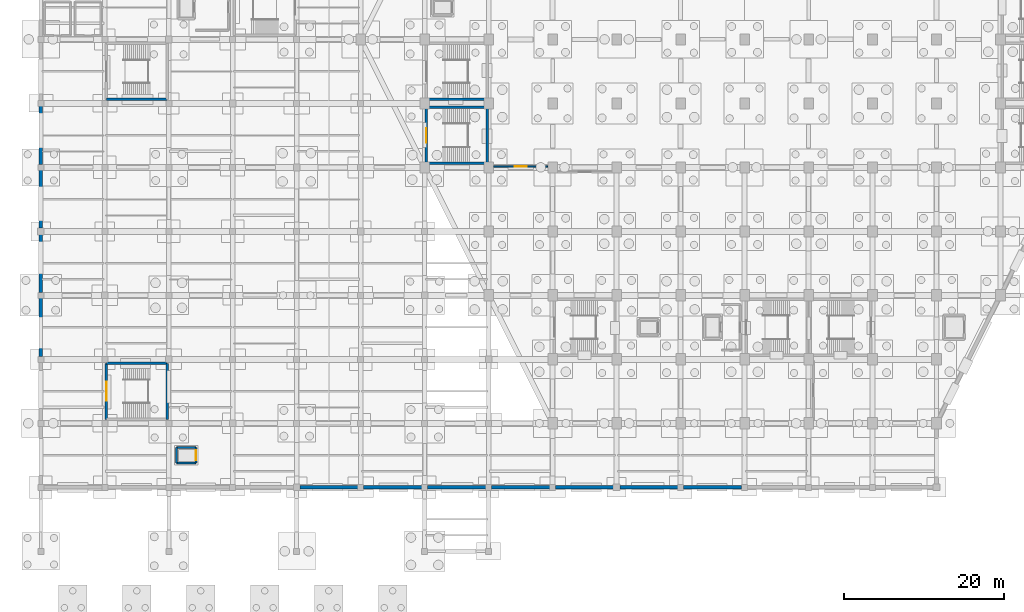
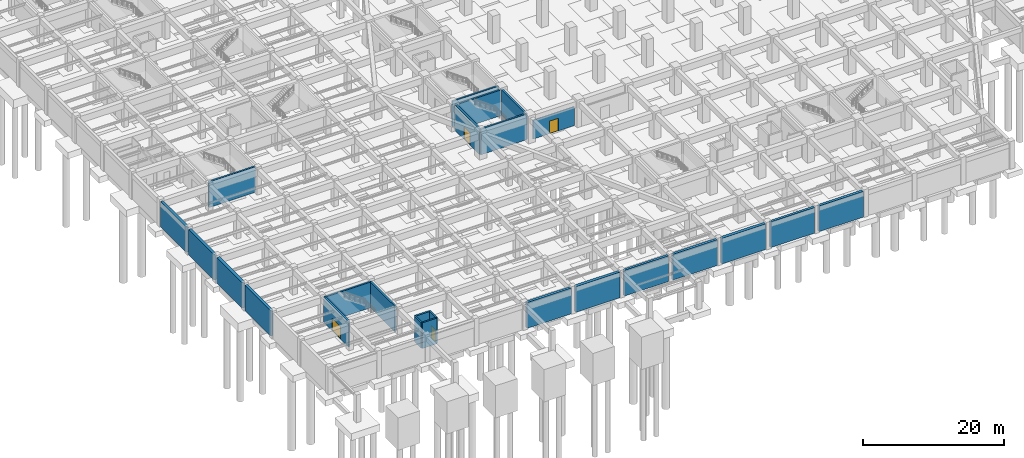
# One storey, part 23 of 36: 25 walls, 4 doors, 4 openings.
"""IFC4 building model written with IfcOpenShell, lengths in metres."""

from ifc_helpers import new_model, si_unit, direction, frame, frame_2d, origin, place, context, subcontext, project, spatial, rectangle, extrude, material, layer, layer_set, type_object, element, fill, save


model = new_model("IFC4")

# Units and contexts
model_context = context("Model", 3, precision=1e-05, world=origin(), true_north=direction((0.0, 1.0)))
body_context = subcontext(model_context, "Body", "Model", "MODEL_VIEW")
ifc_project = project(units=[si_unit("LENGTHUNIT", "METRE"), si_unit("AREAUNIT", "SQUARE_METRE"), si_unit("VOLUMEUNIT", "CUBIC_METRE"), si_unit("PLANEANGLEUNIT", "RADIAN"), si_unit("MASSUNIT", "GRAM", prefix="KILO")], contexts=[model_context])

# Site, building, storey
site_placement = place(None, origin())
site = spatial("IfcSite", under=ifc_project, at=site_placement, CompositionType="ELEMENT")
building_placement = place(site_placement, origin())
building = spatial("IfcBuilding", under=site, at=building_placement, Name="Tazarka Park Arena", CompositionType="ELEMENT")
storey_placement = place(building_placement, frame((0.0, 0.0, -4.800048828125)))
storey = spatial("IfcBuildingStorey", under=building, at=storey_placement, Name="B1", CompositionType="ELEMENT", Elevation=-4.800048828125)

# Walls
ifc_material_1 = material(Name="Concrete C40/50", Category="concrete")
ifc_layer_1 = layer(ifc_material_1, 0.300048828125, Name="Concrete C40/50")
ifc_layer_set_1 = layer_set([ifc_layer_1], Name="Concrete C40/50")
wall_type_1 = type_object("IfcWallType", Name="IWAL-CW-S1", PredefinedType="SHEAR", material=ifc_layer_set_1)
for number, where, z_axis, x_axis, name in (
    (1, (15.800048828125, 56.5, 0.0), (0.0, 0.0, 1.0), (-1.0, 0.0, 0.0), "SCW-B1-ST01-S"),
    (2, (55.800048828125, 56.5, 0.0), (0.0, 0.0, 1.0), (-1.0, 0.0, 0.0), "SCW-B1-ST13-S"),
):
    element("IfcWall", number, at=place(storey_placement, frame(where, z_axis=z_axis, x_axis=x_axis)), inside=storey, type_object=wall_type_1, Name=name, PredefinedType="SHEAR", context=body_context, shape_type="SweptSolid", body=[
        extrude(rectangle(XDim=7.60009765625, YDim=0.300048828125, at=frame_2d((3.800048828125, 0.0))), origin(), (0.0, 0.0, 1.0), 4.4599609375),
    ])

# Wall, opening, door
wall_1_placement = place(storey_placement, frame((8.199951171875, 16.5, 0.0), z_axis=(0.0, 0.0, 1.0), x_axis=(0.0, 1.0, 0.0)))
wall_1 = element("IfcWall", 3, at=wall_1_placement, inside=storey, type_object=wall_type_1, Name="SCW-B1-ST17-W", PredefinedType="SHEAR", context=body_context, shape_type="SweptSolid", body=[
    extrude(rectangle(XDim=7.0, YDim=0.300048828125, at=frame_2d((3.5, 0.0))), origin(), (0.0, 0.0, 1.0), 4.4599609375),
])
opening_1_placement = place(wall_1_placement, frame((2.300048828125, 0.0, 0.0)))
opening_1 = element("IfcOpeningElement", 4, at=opening_1_placement, cuts=wall_1, Name="Opening ID-05", PredefinedType="OPENING", context=body_context, shape_type="SweptSolid", body=[
    extrude(rectangle(XDim=2.39990234375, YDim=2.199951171875, at=frame_2d((1.199951171875, 1.10009765625))), frame((0.0, 0.16015625, 0.0), z_axis=(0.0, -1.0, 0.0), x_axis=(1.0, 0.0, 0.0)), (0.0, 0.0, 1.0), 0.320068359375),
])
ifc_material_2 = material(Name="Fire-rated powder-coated steel and acoustic timber", Category="steel")
door_type_1 = type_object("IfcDoorType", Name="IDR-ID-05", OperationType="NOTDEFINED", PredefinedType="DOOR", material=ifc_material_2)
door_1_placement = place(opening_1_placement, frame((2.39990234375, 0.0, 0.0), z_axis=(0.0, 0.0, 1.0), x_axis=(-1.0, 0.0, 0.0)))
door_1 = element("IfcDoor", 5, at=door_1_placement, inside=storey, type_object=door_type_1, Name="Exit Stair Door ST17-B1", OperationType="DOUBLE_DOOR_SINGLE_SWING", OverallHeight=2.199951171875, OverallWidth=2.39990234375, PredefinedType="DOOR", context=body_context, shape_type="SweptSolid", body=[
    extrude(rectangle(XDim=2.39990234375, YDim=2.199951171875, at=frame_2d((1.199951171875, 1.10009765625))), frame((0.0, 0.02490234375, 0.0), z_axis=(0.0, -1.0, 0.0), x_axis=(1.0, 0.0, 0.0)), (0.0, 0.0, 1.0), 0.050048828125),
])
fill(opening_1, door_1)

# Walls
wall_2_placement = place(storey_placement, frame((8.199951171875, 23.5, 0.0), z_axis=(0.0, 0.0, 1.0), x_axis=(1.0, 0.0, 0.0)))
element("IfcWall", 6, at=wall_2_placement, inside=storey, type_object=wall_type_1, Name="SCW-B1-ST17-N", PredefinedType="SHEAR", context=body_context, shape_type="SweptSolid", body=[
    extrude(rectangle(XDim=7.60009765625, YDim=0.300048828125, at=frame_2d((3.800048828125, 0.0))), origin(), (0.0, 0.0, 1.0), 4.4599609375),
])
wall_3_placement = place(storey_placement, frame((15.800048828125, 23.5, 0.0), z_axis=(0.0, 0.0, 1.0), x_axis=(0.0, -1.0, 0.0)))
element("IfcWall", 7, at=wall_3_placement, inside=storey, type_object=wall_type_1, Name="SCW-B1-ST17-E", PredefinedType="SHEAR", context=body_context, shape_type="SweptSolid", body=[
    extrude(rectangle(XDim=7.0, YDim=0.300048828125, at=frame_2d((3.5, 0.0))), origin(), (0.0, 0.0, 1.0), 4.4599609375),
])
wall_4_placement = place(storey_placement, frame((55.800048828125, 48.5, 0.0), z_axis=(0.0, 0.0, 1.0), x_axis=(-1.0, 0.0, 0.0)))
element("IfcWall", 8, at=wall_4_placement, inside=storey, type_object=wall_type_1, Name="SCW-B1-ST19-S", PredefinedType="SHEAR", context=body_context, shape_type="SweptSolid", body=[
    extrude(rectangle(XDim=7.60009765625, YDim=0.300048828125, at=frame_2d((3.800048828125, 0.0))), origin(), (0.0, 0.0, 1.0), 4.4599609375),
])

# Wall, opening, door
wall_5_placement = place(storey_placement, frame((48.199951171875, 48.5, 0.0), z_axis=(0.0, 0.0, 1.0), x_axis=(0.0, 1.0, 0.0)))
wall_5 = element("IfcWall", 9, at=wall_5_placement, inside=storey, type_object=wall_type_1, Name="SCW-B1-ST19-W", PredefinedType="SHEAR", context=body_context, shape_type="SweptSolid", body=[
    extrude(rectangle(XDim=7.0, YDim=0.300048828125, at=frame_2d((3.5, 0.0))), origin(), (0.0, 0.0, 1.0), 4.4599609375),
])
opening_2_placement = place(wall_5_placement, frame((2.60009765625, 0.0, 0.0)))
opening_2 = element("IfcOpeningElement", 10, at=opening_2_placement, cuts=wall_5, Name="Opening ID-04", PredefinedType="OPENING", context=body_context, shape_type="SweptSolid", body=[
    extrude(rectangle(XDim=1.800048828125, YDim=2.199951171875, at=frame_2d((0.89990234375, 1.10009765625))), frame((0.0, 0.16015625, 0.0), z_axis=(0.0, -1.0, 0.0), x_axis=(1.0, 0.0, 0.0)), (0.0, 0.0, 1.0), 0.320068359375),
])
ifc_material_3 = material(Name="Fire-rated powder-coated steel and acoustic timber", Category="steel")
door_type_2 = type_object("IfcDoorType", Name="IDR-ID-04", OperationType="NOTDEFINED", PredefinedType="DOOR", material=ifc_material_3)
door_2_placement = place(opening_2_placement, frame((1.800048828125, 0.0, 0.0), z_axis=(0.0, 0.0, 1.0), x_axis=(-1.0, 0.0, 0.0)))
door_2 = element("IfcDoor", 11, at=door_2_placement, inside=storey, type_object=door_type_2, Name="Vomitory Stair Door ST19-B1", OperationType="DOUBLE_DOOR_SINGLE_SWING", OverallHeight=2.199951171875, OverallWidth=1.800048828125, PredefinedType="DOOR", context=body_context, shape_type="SweptSolid", body=[
    extrude(rectangle(XDim=1.800048828125, YDim=2.199951171875, at=frame_2d((0.89990234375, 1.10009765625))), frame((0.0, 0.02490234375, 0.0), z_axis=(0.0, -1.0, 0.0), x_axis=(1.0, 0.0, 0.0)), (0.0, 0.0, 1.0), 0.050048828125),
])
fill(opening_2, door_2)

# Walls
wall_6_placement = place(storey_placement, frame((48.199951171875, 55.5, 0.0), z_axis=(0.0, 0.0, 1.0), x_axis=(1.0, 0.0, 0.0)))
element("IfcWall", 12, at=wall_6_placement, inside=storey, type_object=wall_type_1, Name="SCW-B1-ST19-N", PredefinedType="SHEAR", context=body_context, shape_type="SweptSolid", body=[
    extrude(rectangle(XDim=7.60009765625, YDim=0.300048828125, at=frame_2d((3.800048828125, 0.0))), origin(), (0.0, 0.0, 1.0), 4.4599609375),
])
wall_7_placement = place(storey_placement, frame((55.800048828125, 55.5, 0.0), z_axis=(0.0, 0.0, 1.0), x_axis=(0.0, -1.0, 0.0)))
element("IfcWall", 13, at=wall_7_placement, inside=storey, type_object=wall_type_1, Name="SCW-B1-ST19-E", PredefinedType="SHEAR", context=body_context, shape_type="SweptSolid", body=[
    extrude(rectangle(XDim=7.0, YDim=0.300048828125, at=frame_2d((3.5, 0.0))), origin(), (0.0, 0.0, 1.0), 4.4599609375),
])
ifc_material_4 = material(Name="Concrete C40/50", Category="concrete")
ifc_layer_2 = layer(ifc_material_4, 0.260009765625, Name="Concrete C40/50")
ifc_layer_set_2 = layer_set([ifc_layer_2], Name="Concrete C40/50")
wall_type_2 = type_object("IfcWallType", Name="IWAL-CW-S3", PredefinedType="SHEAR", material=ifc_layer_set_2)
wall_8_placement = place(storey_placement, frame((16.97998046875, 11.030029296875, 0.0), z_axis=(0.0, 0.0, 1.0), x_axis=(0.0, 1.0, 0.0)))
element("IfcWall", 14, at=wall_8_placement, inside=storey, type_object=wall_type_2, Name="LSW-B1-LF-05-W", PredefinedType="SHEAR", context=body_context, shape_type="SweptSolid", body=[
    extrude(rectangle(XDim=1.93994140625, YDim=0.260009765625, at=frame_2d((0.969970703125, 0.0))), origin(), (0.0, 0.0, 1.0), 4.4599609375),
])
for number, where, z_axis, x_axis, name in (
    (15, (16.97998046875, 12.969970703125, 0.0), (0.0, 0.0, 1.0), (1.0, 0.0, 0.0), "LSW-B1-LF-05-N"),
    (16, (19.419921875, 11.030029296875, 0.0), (0.0, 0.0, 1.0), (-1.0, 0.0, 0.0), "LSW-B1-LF-05-S"),
):
    element("IfcWall", number, at=place(storey_placement, frame(where, z_axis=z_axis, x_axis=x_axis)), inside=storey, type_object=wall_type_2, Name=name, PredefinedType="SHEAR", context=body_context, shape_type="SweptSolid", body=[
        extrude(rectangle(XDim=2.43994140625, YDim=0.260009765625, at=frame_2d((1.219970703125, 0.0))), origin(), (0.0, 0.0, 1.0), 4.4599609375),
    ])

# Wall, opening, door
wall_9_placement = place(storey_placement, frame((19.419921875, 12.969970703125, 0.0), z_axis=(0.0, 0.0, 1.0), x_axis=(0.0, -1.0, 0.0)))
wall_9 = element("IfcWall", 17, at=wall_9_placement, inside=storey, type_object=wall_type_2, Name="LSW-B1-LF-05-E", PredefinedType="SHEAR", context=body_context, shape_type="SweptSolid", body=[
    extrude(rectangle(XDim=1.93994140625, YDim=0.260009765625, at=frame_2d((0.969970703125, 0.0))), origin(), (0.0, 0.0, 1.0), 4.4599609375),
])
opening_3_placement = place(wall_9_placement, frame((0.3701171875, 0.0, 0.0)))
opening_3 = element("IfcOpeningElement", 18, at=opening_3_placement, cuts=wall_9, Name="Opening LD-02", PredefinedType="OPENING", context=body_context, shape_type="SweptSolid", body=[
    extrude(rectangle(XDim=1.199951171875, YDim=2.14990234375, at=frame_2d((0.60009765625, 1.074951171875))), frame((0.0, 0.14013671875, 0.0), z_axis=(0.0, -1.0, 0.0), x_axis=(1.0, 0.0, 0.0)), (0.0, 0.0, 1.0), 0.280029296875),
])
ifc_material_5 = material(Name="Fire-rated powder-coated steel and acoustic timber", Category="steel")
door_type_3 = type_object("IfcDoorType", Name="IDR-LD-02", OperationType="NOTDEFINED", PredefinedType="DOOR", material=ifc_material_5)
door_3_placement = place(opening_3_placement, origin())
door_3 = element("IfcDoor", 19, at=door_3_placement, inside=storey, type_object=door_type_3, Name="Lift Landing Door LF-05-B1", OperationType="SLIDING_TO_LEFT", OverallHeight=2.14990234375, OverallWidth=1.199951171875, PredefinedType="DOOR", context=body_context, shape_type="SweptSolid", body=[
    extrude(rectangle(XDim=1.199951171875, YDim=2.14990234375, at=frame_2d((0.60009765625, 1.074951171875))), frame((0.0, 0.02490234375, 0.0), z_axis=(0.0, -1.0, 0.0), x_axis=(1.0, 0.0, 0.0)), (0.0, 0.0, 1.0), 0.050048828125),
])
fill(opening_3, door_3)

ifc_material_6 = material(Name="Reinforced masonry compartment wall", Category="masonry")
ifc_layer_3 = layer(ifc_material_6, 0.199951171875, Name="Reinforced masonry compartment wall")
ifc_layer_set_3 = layer_set([ifc_layer_3], Name="Reinforced masonry compartment wall")
wall_type_3 = type_object("IfcWallType", Name="IWAL-PT-04", PredefinedType="PARTITIONING", material=ifc_layer_set_3)
wall_10_placement = place(storey_placement, frame((63.388916015625, 48.10009765625, 0.0), z_axis=(0.0, 0.0, 1.0), x_axis=(-1.0, 0.0, 0.0)))
wall_10 = element("IfcWall", 20, at=wall_10_placement, inside=storey, type_object=wall_type_3, Name="PRT-B1-004", PredefinedType="PARTITIONING", context=body_context, shape_type="SweptSolid", body=[
    extrude(rectangle(XDim=6.77783203125, YDim=0.199951171875, at=frame_2d((3.388916015625, 0.0))), origin(), (0.0, 0.0, 1.0), 3.25),
])
opening_4_placement = place(wall_10_placement, frame((2.638916015625, 0.0, 0.0)))
opening_4 = element("IfcOpeningElement", 21, at=opening_4_placement, cuts=wall_10, Name="Opening ID-06", PredefinedType="OPENING", context=body_context, shape_type="SweptSolid", body=[
    extrude(rectangle(XDim=1.5, YDim=2.199951171875, at=frame_2d((0.75, 1.10009765625))), frame((0.0, 0.10986328125, 0.0), z_axis=(0.0, -1.0, 0.0), x_axis=(1.0, 0.0, 0.0)), (0.0, 0.0, 1.0), 0.219970703125),
])
ifc_material_7 = material(Name="Fire-rated powder-coated steel and acoustic timber", Category="steel")
door_type_4 = type_object("IfcDoorType", Name="IDR-ID-06", OperationType="NOTDEFINED", PredefinedType="DOOR", material=ifc_material_7)
door_4_placement = place(opening_4_placement, origin())
door_4 = element("IfcDoor", 22, at=door_4_placement, inside=storey, type_object=door_type_4, Name="Room Door Retractable Seating and Event Staging Storage", OperationType="DOUBLE_DOOR_SINGLE_SWING", OverallHeight=2.199951171875, OverallWidth=1.5, PredefinedType="DOOR", context=body_context, shape_type="SweptSolid", body=[
    extrude(rectangle(XDim=1.5, YDim=2.199951171875, at=frame_2d((0.75, 1.10009765625))), frame((0.0, 0.02490234375, 0.0), z_axis=(0.0, -1.0, 0.0), x_axis=(1.0, 0.0, 0.0)), (0.0, 0.0, 1.0), 0.050048828125),
])
fill(opening_4, door_4)

# Walls
ifc_material_8 = material(Name="Concrete C35/45", Category="concrete")
ifc_layer_4 = layer(ifc_material_8, 0.39990234375, Name="Concrete C35/45")
ifc_layer_set_4 = layer_set([ifc_layer_4], Name="Concrete C35/45")
wall_type_4 = type_object("IfcWallType", Name="WAL-RW-01", PredefinedType="USERDEFINED", material=ifc_layer_set_4)
for number, where, z_axis, x_axis, name in (
    (23, (0.0, 48.35498046875, 0.0), (0.0, 0.0, 1.0), (0.0, 1.0, 0.0), "EW-B1-0054"),
    (24, (0.0, 24.35498046875, 0.0), (0.0, 0.0, 1.0), (0.0, 1.0, 0.0), "EW-B1-0057"),
    (25, (55.64501953125, 8.0, 0.0), (0.0, 0.0, 1.0), (-1.0, 0.0, 0.0), "EW-B1-0066"),
):
    element("IfcWall", number, at=place(storey_placement, frame(where, z_axis=z_axis, x_axis=x_axis)), inside=storey, type_object=wall_type_4, Name=name, ObjectType="RETAININGWALL", PredefinedType="USERDEFINED", context=body_context, shape_type="SweptSolid", body=[
        extrude(rectangle(XDim=7.2900390625, YDim=0.39990234375, at=frame_2d((3.64501953125, 0.0))), origin(), (0.0, 0.0, 1.0), 4.4599609375),
    ])
wall_11_placement = place(storey_placement, frame((79.64501953125, 8.0, 0.0), z_axis=(0.0, 0.0, 1.0), x_axis=(-1.0, 0.0, 0.0)))
element("IfcWall", 26, at=wall_11_placement, inside=storey, type_object=wall_type_4, Name="EW-B1-0069", ObjectType="RETAININGWALL", PredefinedType="USERDEFINED", context=body_context, shape_type="SweptSolid", body=[
    extrude(rectangle(XDim=7.239990234375, YDim=0.39990234375, at=frame_2d((3.6201171875, 0.0))), origin(), (0.0, 0.0, 1.0), 4.4599609375),
])
ifc_material_9 = material(Name="Concrete C35/45", Category="concrete")
ifc_layer_5 = layer(ifc_material_9, 0.43994140625, Name="Concrete C35/45")
ifc_layer_set_5 = layer_set([ifc_layer_5], Name="Concrete C35/45")
wall_type_5 = type_object("IfcWallType", Name="WAL-RW-02", PredefinedType="USERDEFINED", material=ifc_layer_set_5)
for number, where, z_axis, x_axis, name in (
    (27, (0.0, 40.405029296875, 0.0), (0.0, 0.0, 1.0), (0.0, 1.0, 0.0), "EW-B1-0055"),
    (28, (39.64501953125, 8.0, 0.0), (0.0, 0.0, 1.0), (-1.0, 0.0, 0.0), "EW-B1-0064"),
):
    element("IfcWall", number, at=place(storey_placement, frame(where, z_axis=z_axis, x_axis=x_axis)), inside=storey, type_object=wall_type_5, Name=name, ObjectType="RETAININGWALL", PredefinedType="USERDEFINED", context=body_context, shape_type="SweptSolid", body=[
        extrude(rectangle(XDim=7.239990234375, YDim=0.43994140625, at=frame_2d((3.6201171875, 0.0))), origin(), (0.0, 0.0, 1.0), 4.4599609375),
    ])
for number, where, z_axis, x_axis, name in (
    (29, (63.64501953125, 8.0, 0.0), (0.0, 0.0, 1.0), (-1.0, 0.0, 0.0), "EW-B1-0067"),
    (30, (87.64501953125, 8.0, 0.0), (0.0, 0.0, 1.0), (-1.0, 0.0, 0.0), "EW-B1-0070"),
):
    element("IfcWall", number, at=place(storey_placement, frame(where, z_axis=z_axis, x_axis=x_axis)), inside=storey, type_object=wall_type_5, Name=name, ObjectType="RETAININGWALL", PredefinedType="USERDEFINED", context=body_context, shape_type="SweptSolid", body=[
        extrude(rectangle(XDim=7.2900390625, YDim=0.43994140625, at=frame_2d((3.64501953125, 0.0))), origin(), (0.0, 0.0, 1.0), 4.4599609375),
    ])
ifc_material_10 = material(Name="Concrete C35/45", Category="concrete")
ifc_layer_6 = layer(ifc_material_10, 0.47998046875, Name="Concrete C35/45")
ifc_layer_set_6 = layer_set([ifc_layer_6], Name="Concrete C35/45")
wall_type_6 = type_object("IfcWallType", Name="WAL-RW-03", PredefinedType="USERDEFINED", material=ifc_layer_set_6)
wall_12_placement = place(storey_placement, frame((0.0, 32.35498046875, 0.0), z_axis=(0.0, 0.0, 1.0), x_axis=(0.0, 1.0, 0.0)))
element("IfcWall", 31, at=wall_12_placement, inside=storey, type_object=wall_type_6, Name="EW-B1-0056", ObjectType="RETAININGWALL", PredefinedType="USERDEFINED", context=body_context, shape_type="SweptSolid", body=[
    extrude(rectangle(XDim=7.239990234375, YDim=0.47998046875, at=frame_2d((3.6201171875, 0.0))), origin(), (0.0, 0.0, 1.0), 4.4599609375),
])
wall_13_placement = place(storey_placement, frame((47.64501953125, 8.0, 0.0), z_axis=(0.0, 0.0, 1.0), x_axis=(-1.0, 0.0, 0.0)))
element("IfcWall", 32, at=wall_13_placement, inside=storey, type_object=wall_type_6, Name="EW-B1-0065", ObjectType="RETAININGWALL", PredefinedType="USERDEFINED", context=body_context, shape_type="SweptSolid", body=[
    extrude(rectangle(XDim=7.2900390625, YDim=0.47998046875, at=frame_2d((3.64501953125, 0.0))), origin(), (0.0, 0.0, 1.0), 4.4599609375),
])
wall_14_placement = place(storey_placement, frame((71.594970703125, 8.0, 0.0), z_axis=(0.0, 0.0, 1.0), x_axis=(-1.0, 0.0, 0.0)))
element("IfcWall", 33, at=wall_14_placement, inside=storey, type_object=wall_type_6, Name="EW-B1-0068", ObjectType="RETAININGWALL", PredefinedType="USERDEFINED", context=body_context, shape_type="SweptSolid", body=[
    extrude(rectangle(XDim=7.239990234375, YDim=0.47998046875, at=frame_2d((3.6201171875, 0.0))), origin(), (0.0, 0.0, 1.0), 4.4599609375),
])

save(model, "model.ifc")
